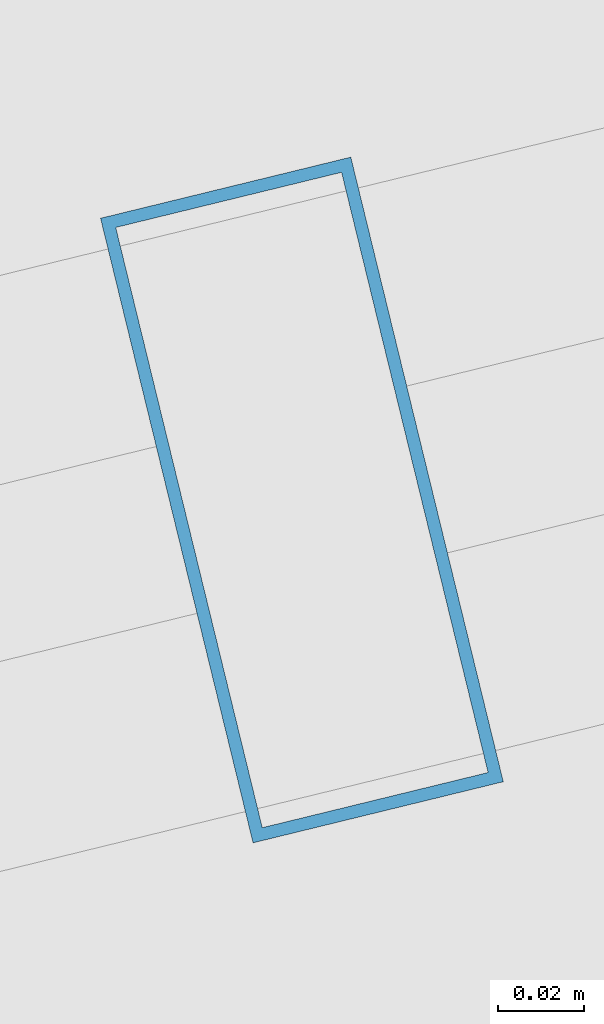
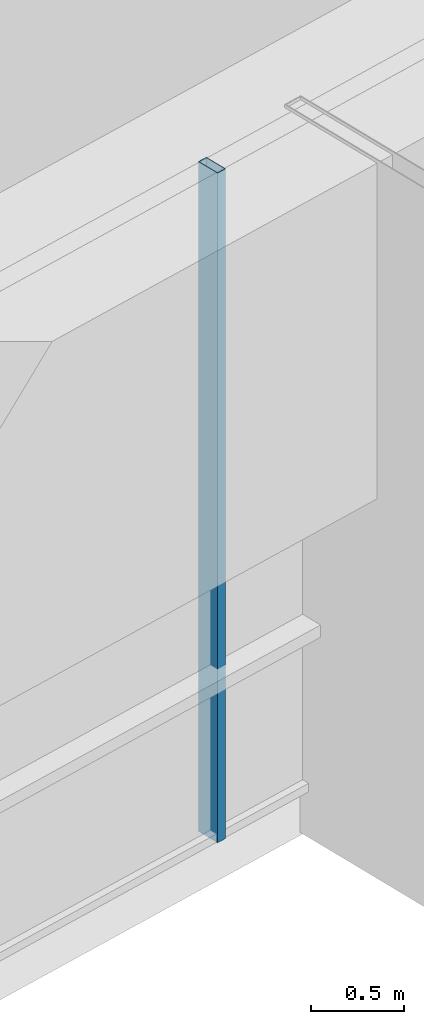
# One storey, part 8 of 39: 1 member, 1 element without a shape of its own.
"""IFC4 building model written with IfcOpenShell, lengths in metres."""

from ifc_helpers import new_model, si_unit, direction, frame, origin, origin_2d, place, context, subcontext, project, spatial, hollow_rectangle, extrude, source, transform, mapped, material, layer, layer_set, material_profile, profile_set, type_object, element, aggregate, save


model = new_model("IFC4")

# Units and contexts
model_context = context("Model", 3, precision=1e-05, world=origin(), true_north=direction((0.0, 1.0)))
body_context = subcontext(model_context, "Body", "Model", "MODEL_VIEW")
ifc_project = project(units=[si_unit("LENGTHUNIT", "METRE"), si_unit("AREAUNIT", "SQUARE_METRE"), si_unit("VOLUMEUNIT", "CUBIC_METRE"), si_unit("PLANEANGLEUNIT", "RADIAN"), si_unit("MASSUNIT", "GRAM", prefix="KILO")], contexts=[model_context])

# Site, building, storey
site_placement = place(None, origin())
site = spatial("IfcSite", under=ifc_project, at=site_placement, CompositionType="ELEMENT")
building_placement = place(site_placement, origin())
building = spatial("IfcBuilding", under=site, at=building_placement, Name="Veraguas Prism Commons", CompositionType="ELEMENT")
storey_placement = place(building_placement, frame((0.0, 0.0, 264.25)))
storey = spatial("IfcBuildingStorey", under=building, at=storey_placement, Name="L75", CompositionType="ELEMENT", Elevation=264.25)

# Curtain wall, member
ifc_material = material(Name="Anodised aluminium EN AW-6063 T6", Category="aluminium")
ifc_layer = layer(ifc_material, 0.14990234375, Name="Unitised Flush Curtain Wall Zone 4", Category="aluminium")
ifc_layer_set = layer_set([ifc_layer], Name="Anodised aluminium EN AW-6063 T6")
curtain_wall_type = type_object("IfcCurtainWallType", Name="Unitised Flush Curtain Wall Zone 4", PredefinedType="NOTDEFINED", material=ifc_layer_set)
curtain_wall_placement = place(storey_placement, origin())
curtain_wall = element("IfcCurtainWall", 1, at=curtain_wall_placement, inside=storey, type_object=curtain_wall_type, Name="Tower Facade Curtain Wall L75-F5", PredefinedType="NOTDEFINED")
ifc_material_profile = material_profile(ifc_material, hollow_rectangle(XDim=0.06005859375, YDim=0.14990234375, WallThickness=0.0029296875, at=origin_2d()), Name="AL60X150X3")
ifc_profile_set = profile_set([ifc_material_profile], Name="Anodised aluminium EN AW-6063 T6")
member_type = type_object("IfcMemberType", Name="Curtain Wall Mullion Upper AL 60x150x3", PredefinedType="MULLION", material=ifc_profile_set)
shared_shape = source(origin(), body_context, "Body", "SweptSolid", [
    extrude(hollow_rectangle(XDim=0.06005859375, YDim=0.14990234375, WallThickness=0.0029296875, at=origin_2d()), origin(), (0.0, 0.0, 1.0), 4.389892578125),
])
member_placement = place(storey_placement, frame((24.31640625, 7.139404296875, 0.0), z_axis=(0.0, 0.0, 1.0), x_axis=(0.97146556079, 0.237180657305, 0.0)))
member = element("IfcMember", 2, at=member_placement, type_object=member_type, Name="CW-Z4 Mullion 2", PredefinedType="MULLION", context=body_context, shape_type="MappedRepresentation", body=[
    mapped(shared_shape, transform((0.0, 0.0, 0.0), scale=1.0)),
])
aggregate(curtain_wall, [member])

save(model, "model.ifc")
